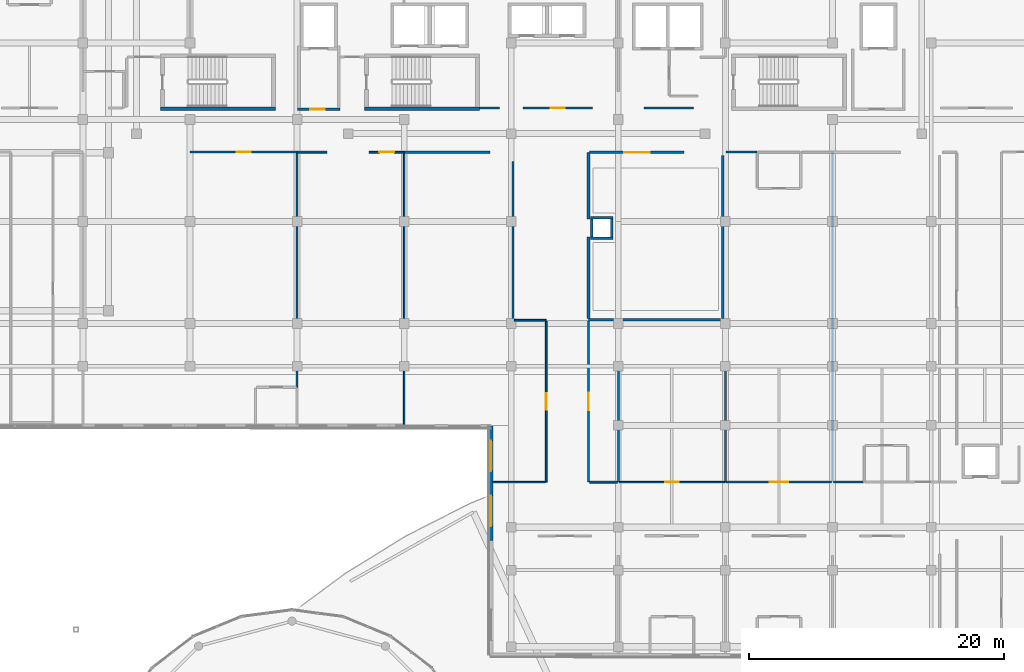
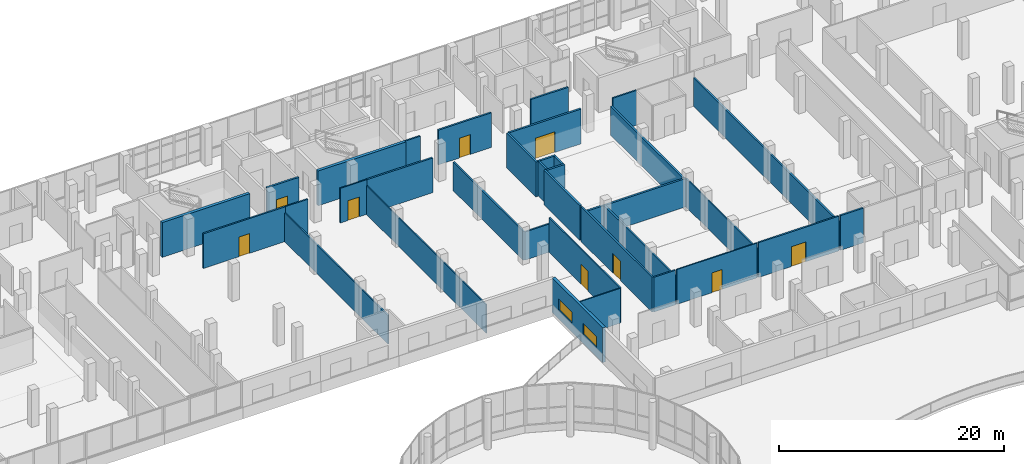
# One storey, part 87 of 101: 35 walls, 9 doors, 2 windows, 11 openings.
"""IFC4 building model written with IfcOpenShell, lengths in metres."""

import ifcopenshell
import ifcopenshell.guid

model = None  # the IFC model being written
_history = None  # IfcOwnerHistory: only IFC2X3 demands one
_inside = {}  # id of a spatial element -> (the spatial element, [elements in it])
_under = {}  # id of a project, library or spatial element -> (it, [spatial elements below it])
_declared = {}  # id of a project -> (the project, [libraries it declares])
_typed = {}  # id of a type object -> (the type object, [elements of that type])
_made_of = {}  # id of a material, layer set ... -> (it, [elements and type objects made of it])


def new_model(schema):
    """Start an empty IFC model of exactly this schema.

    Asked for "IFC4X3", IfcOpenShell would pick the latest addendum, in which some entities
    have other attributes; the version numbers below select the first issue.
    IFC2X3 requires an IfcOwnerHistory on every rooted entity: one is made here for all.
    """
    global model, _history
    if schema == "IFC4X3":
        model = ifcopenshell.file(schema_version=(4, 3, 0, 0))
    else:
        model = ifcopenshell.file(schema=schema)
    _inside.clear()
    _under.clear()
    _declared.clear()
    _typed.clear()
    _made_of.clear()
    _history = None
    if model.schema == "IFC2X3":
        org = make("IfcOrganization", Name="unknown")
        user = make(
            "IfcPersonAndOrganization",
            ThePerson=make("IfcPerson", FamilyName="unknown"),
            TheOrganization=org,
        )
        app = make(
            "IfcApplication",
            ApplicationDeveloper=org,
            Version="unknown",
            ApplicationFullName="unknown",
            ApplicationIdentifier="unknown",
        )
        _history = make(
            "IfcOwnerHistory",
            OwningUser=user,
            OwningApplication=app,
            ChangeAction="ADDED",
            CreationDate=0,
        )
    return model


def make(cls, **values):
    """One entity of the class cls with the attributes given. An attribute that is None is left unset."""
    return model.create_entity(
        cls, **{name: value for name, value in values.items() if value is not None}
    )


def rooted(cls, **values):
    """An entity with a GlobalId (a new one), such as an element, a storey or a relation."""
    return make(cls, GlobalId=ifcopenshell.guid.new(), OwnerHistory=_history, **values)


def si_unit(unit_type, name, prefix=None):
    """IfcSIUnit, for example si_unit("LENGTHUNIT", "METRE", prefix="MILLI")."""
    return make("IfcSIUnit", UnitType=unit_type, Prefix=prefix, Name=name)


def assignment(units):
    """IfcUnitAssignment: the units of a project."""
    return None if units is None else make("IfcUnitAssignment", Units=units)


def point(xyz):
    """IfcCartesianPoint."""
    return None if xyz is None else make("IfcCartesianPoint", Coordinates=xyz)


def direction(xyz):
    """IfcDirection."""
    return None if xyz is None else make("IfcDirection", DirectionRatios=xyz)


def frame(location, z_axis=None, x_axis=None):
    """IfcAxis2Placement3D, a coordinate frame: its origin and axes. An axis left out is left unset."""
    return make(
        "IfcAxis2Placement3D",
        Location=point(location),
        Axis=direction(z_axis),
        RefDirection=direction(x_axis),
    )


def frame_2d(location, x_axis=None):
    """IfcAxis2Placement2D, a coordinate frame in the plane: its origin and x axis."""
    return make(
        "IfcAxis2Placement2D", Location=point(location), RefDirection=direction(x_axis)
    )


def origin():
    """The frame at (0, 0, 0) with its axes left unset."""
    return frame((0.0, 0.0, 0.0))


def place(relative_to, where):
    """IfcLocalPlacement: puts the frame where relative to a parent placement (None: the world)."""
    return make(
        "IfcLocalPlacement", PlacementRelTo=relative_to, RelativePlacement=where
    )


def context(
    kind, dimensions, precision=None, world=None, true_north=None, identifier=None
):
    """IfcGeometricRepresentationContext, for example the 3D "Model" context."""
    return make(
        "IfcGeometricRepresentationContext",
        ContextIdentifier=identifier,
        ContextType=kind,
        CoordinateSpaceDimension=dimensions,
        Precision=precision,
        WorldCoordinateSystem=world,
        TrueNorth=true_north,
    )


def subcontext(parent, identifier, kind, view, scale=None):
    """IfcGeometricRepresentationSubContext, for example "Body" below "Model"."""
    return make(
        "IfcGeometricRepresentationSubContext",
        ContextIdentifier=identifier,
        ContextType=kind,
        ParentContext=parent,
        TargetScale=scale,
        TargetView=view,
    )


def project(units=None, contexts=None):
    """IfcProject with its units and contexts."""
    return rooted(
        "IfcProject",
        Name="project",
        RepresentationContexts=contexts,
        UnitsInContext=assignment(units),
    )


def spatial(cls, under=None, at=None, **own):
    """A site, building, storey or space (cls), placed at a placement, below another one or the project."""
    s = rooted(cls, ObjectPlacement=at, **own)
    if under is not None:
        _under.setdefault(under.id(), (under, []))[1].append(s)
    return s


def profile(cls, at=None, kind="AREA", **sizes):
    """A parametric profile (cls). Its sizes go by their IFC names, for example OverallWidth=200.0."""
    return make(cls, ProfileType=kind, Position=at, **sizes)


def rectangle(**sizes):
    """IfcRectangleProfileDef."""
    return profile("IfcRectangleProfileDef", **sizes)


def extrude(swept, where, along, depth):
    """IfcExtrudedAreaSolid: the profile swept, set in the frame where, extruded along a direction by depth."""
    return make(
        "IfcExtrudedAreaSolid",
        SweptArea=swept,
        Position=where,
        ExtrudedDirection=direction(along),
        Depth=depth,
    )


def shape(context_of_items, identifier, shape_type, items):
    """IfcShapeRepresentation: the items that make up one representation, for example the "Body"."""
    return make(
        "IfcShapeRepresentation",
        ContextOfItems=context_of_items,
        RepresentationIdentifier=identifier,
        RepresentationType=shape_type,
        Items=items,
    )


def material(Name=None, Category=None):
    """IfcMaterial."""
    return make("IfcMaterial", Name=Name, Category=Category)


def layer(
    of_material, thickness, ventilated=None, Name=None, Category=None, Priority=None
):
    """IfcMaterialLayer: one layer of a wall or slab, of a material (None: an air gap)."""
    return make(
        "IfcMaterialLayer",
        Material=of_material,
        LayerThickness=thickness,
        IsVentilated=ventilated,
        Name=Name,
        Category=Category,
        Priority=Priority,
    )


def layer_set(layers, Name=None):
    """IfcMaterialLayerSet."""
    return make("IfcMaterialLayerSet", MaterialLayers=layers, LayerSetName=Name)


def made_of(thing, what):
    """Note that an element or type object is made of a material, layer set ...; save() writes the relation."""
    if what is not None:
        _made_of.setdefault(what.id(), (what, []))[1].append(thing)
    return thing


def type_object(cls, material=None, **own):
    """A type object (cls), such as IfcWallType, which elements share."""
    return made_of(rooted(cls, **own), material)


def element(
    cls,
    number,
    at=None,
    inside=None,
    cuts=None,
    type_object=None,
    material=None,
    context=None,
    identifier="Body",
    shape_type=None,
    held_by="IfcProductDefinitionShape",
    body=None,
    shapes=None,
    **own,
):
    """One element of the class cls, such as IfcWall. Its Tag is "e" and its number.

    at: its placement. inside: the storey or other place that contains it. cuts: it is an
    opening in that element (IfcRelVoidsElement). A single representation is given by context,
    identifier, shape_type and body (its items); several are given by shapes. held_by: the class
    of the entity that holds the representations. save() writes the other relations.
    """
    e = rooted(cls, Tag="e%d" % number, ObjectPlacement=at, **own)
    if body is not None:
        shapes = [shape(context, identifier, shape_type, body)]
    if shapes is not None:
        e.Representation = make(held_by, Representations=shapes)
    if inside is not None:
        _inside.setdefault(inside.id(), (inside, []))[1].append(e)
    if cuts is not None:
        rooted(
            "IfcRelVoidsElement", RelatingBuildingElement=cuts, RelatedOpeningElement=e
        )
    if type_object is not None:
        _typed.setdefault(type_object.id(), (type_object, []))[1].append(e)
    return made_of(e, material)


def fill(opening, filler):
    """IfcRelFillsElement: the door or window that sits in an opening."""
    return rooted(
        "IfcRelFillsElement",
        RelatingOpeningElement=opening,
        RelatedBuildingElement=filler,
    )


def aggregate(whole, parts):
    """IfcRelAggregates: a whole, such as a stair, and the parts it consists of."""
    return rooted("IfcRelAggregates", RelatingObject=whole, RelatedObjects=parts)


def save(model, path):
    """Write the relations noted so far, then the file.

    IfcRelAggregates (storeys below a building ...), IfcRelContainedInSpatialStructure (elements
    in a storey), IfcRelDefinesByType, IfcRelAssociatesMaterial and IfcRelDeclares: one each for
    every whole, place, type object, material and project.
    """
    for whole, parts in _under.values():
        aggregate(whole, parts)
    for where, things in _inside.values():
        rooted(
            "IfcRelContainedInSpatialStructure",
            RelatedElements=things,
            RelatingStructure=where,
        )
    for kind, things in _typed.values():
        rooted("IfcRelDefinesByType", RelatedObjects=things, RelatingType=kind)
    for what, things in _made_of.values():
        rooted("IfcRelAssociatesMaterial", RelatedObjects=things, RelatingMaterial=what)
    for by, libraries in _declared.values():
        rooted("IfcRelDeclares", RelatingContext=by, RelatedDefinitions=libraries)
    model.write(path)


model = new_model("IFC4")

# Units and contexts
model_context = context("Model", 3, precision=1e-05, world=origin(), true_north=direction((0.0, 1.0)))
body_context = subcontext(model_context, "Body", "Model", "MODEL_VIEW")
ifc_project = project(units=[si_unit("LENGTHUNIT", "METRE"), si_unit("AREAUNIT", "SQUARE_METRE"), si_unit("VOLUMEUNIT", "CUBIC_METRE"), si_unit("PLANEANGLEUNIT", "RADIAN"), si_unit("MASSUNIT", "GRAM", prefix="KILO")], contexts=[model_context])

# Site, building, storey
site_placement = place(None, origin())
site = spatial("IfcSite", under=ifc_project, at=site_placement, CompositionType="ELEMENT")
building_placement = place(site_placement, origin())
building = spatial("IfcBuilding", under=site, at=building_placement, Name="Selatvlak General Hospital", CompositionType="ELEMENT")
storey_placement = place(building_placement, frame((0.0, 0.0, 19.199951171875)))
storey = spatial("IfcBuildingStorey", under=building, at=storey_placement, Name="L04", CompositionType="ELEMENT", Elevation=19.199951171875)

# Wall, openings, windows
ifc_material_1 = material(Name="Precast concrete C40/50 - white fair-faced", Category="concrete")
ifc_layer_1 = layer(ifc_material_1, 0.300048828125, Name="Precast concrete C40/50 - white fair-faced", Category="concrete")
ifc_layer_set_1 = layer_set([ifc_layer_1], Name="Precast concrete C40/50 - white fair-faced")
wall_type_1 = type_object("IfcWallType", Name="WALL-EW-01", PredefinedType="SOLIDWALL", material=ifc_layer_set_1)
wall_1_placement = place(storey_placement, frame((113.60009765625, 74.969970703125, 0.0), z_axis=(0.0, 0.0, 1.0), x_axis=(0.0, 1.0, 0.0)))
wall_1 = element("IfcWall", 1, at=wall_1_placement, inside=storey, type_object=wall_type_1, Name="L04 exterior wall 0462", PredefinedType="SOLIDWALL", context=body_context, shape_type="SweptSolid", body=[
    extrude(rectangle(XDim=8.969970703125, YDim=0.300048828125, at=frame_2d((4.48486328125, 0.0))), origin(), (0.0, 0.0, 1.0), 3.77001953125),
])
opening_1_placement = place(wall_1_placement, frame((1.132080078125, 0.0, 0.9599609375)))
opening_1 = element("IfcOpeningElement", 2, at=opening_1_placement, cuts=wall_1, Name="Opening WN-29", PredefinedType="OPENING", context=body_context, shape_type="SweptSolid", body=[
    extrude(rectangle(XDim=2.39990234375, YDim=1.199951171875, at=frame_2d((1.199951171875, 0.60009765625))), frame((0.0, 0.159912109375, 0.0), z_axis=(0.0, -1.0, 0.0), x_axis=(1.0, 0.0, 0.0)), (0.0, 0.0, 1.0), 0.320068359375),
])
opening_2_placement = place(wall_1_placement, frame((5.43798828125, 0.0, 0.9599609375)))
opening_2 = element("IfcOpeningElement", 3, at=opening_2_placement, cuts=wall_1, Name="Opening WN-29", PredefinedType="OPENING", context=body_context, shape_type="SweptSolid", body=[
    extrude(rectangle(XDim=2.39990234375, YDim=1.199951171875, at=frame_2d((1.199951171875, 0.60009765625))), frame((0.0, 0.159912109375, 0.0), z_axis=(0.0, -1.0, 0.0), x_axis=(1.0, 0.0, 0.0)), (0.0, 0.0, 1.0), 0.320068359375),
])
ifc_material_2 = material(Name="Thermally broken aluminium Low-E window", Category="aluminium")
window_type = type_object("IfcWindowType", Name="WIN-WN-29", PartitioningType="SINGLE_PANEL", PredefinedType="WINDOW", material=ifc_material_2)
window_1_placement = place(opening_1_placement, origin())
window_1 = element("IfcWindow", 4, at=window_1_placement, inside=storey, type_object=window_type, Name="L04 Bauhaus ribbon window 0086", OverallHeight=1.199951171875, OverallWidth=2.39990234375, PartitioningType="SINGLE_PANEL", PredefinedType="WINDOW", context=body_context, shape_type="SweptSolid", body=[
    extrude(rectangle(XDim=2.39990234375, YDim=1.199951171875, at=frame_2d((1.199951171875, 0.60009765625))), frame((0.0, 0.030029296875, 0.0), z_axis=(0.0, -1.0, 0.0), x_axis=(1.0, 0.0, 0.0)), (0.0, 0.0, 1.0), 0.06005859375),
])
fill(opening_1, window_1)
window_2_placement = place(opening_2_placement, origin())
window_2 = element("IfcWindow", 5, at=window_2_placement, inside=storey, type_object=window_type, Name="L04 Bauhaus ribbon window 0087", OverallHeight=1.199951171875, OverallWidth=2.39990234375, PartitioningType="SINGLE_PANEL", PredefinedType="WINDOW", context=body_context, shape_type="SweptSolid", body=[
    extrude(rectangle(XDim=2.39990234375, YDim=1.199951171875, at=frame_2d((1.199951171875, 0.60009765625))), frame((0.0, 0.030029296875, 0.0), z_axis=(0.0, -1.0, 0.0), x_axis=(1.0, 0.0, 0.0)), (0.0, 0.0, 1.0), 0.06005859375),
])
fill(opening_2, window_2)

# Wall, opening, door
ifc_material_3 = material(Name="Concrete C40/50", Category="concrete")
ifc_layer_2 = layer(ifc_material_3, 0.199951171875, Name="Concrete C40/50", Category="concrete")
ifc_layer_set_2 = layer_set([ifc_layer_2], Name="Concrete C40/50")
wall_type_2 = type_object("IfcWallType", Name="WALL-IW-02", PredefinedType="SOLIDWALL", material=ifc_layer_set_2)
wall_2_placement = place(storey_placement, frame((98.449951171875, 108.800048828125, 0.0), z_axis=(0.0, 0.0, 1.0), x_axis=(1.0, 0.0, 0.0)))
wall_2 = element("IfcWall", 6, at=wall_2_placement, inside=storey, type_object=wall_type_2, Name="Firefighting lobby C2 wall L04 S", PredefinedType="SOLIDWALL", context=body_context, shape_type="SweptSolid", body=[
    extrude(rectangle(XDim=3.300048828125, YDim=0.199951171875, at=frame_2d((1.64990234375, 0.0))), origin(), (0.0, 0.0, 1.0), 3.77001953125),
])
opening_3_placement = place(wall_2_placement, frame((0.97509765625, 0.0, 0.0)))
opening_3 = element("IfcOpeningElement", 7, at=opening_3_placement, cuts=wall_2, Name="Opening D-06", PredefinedType="OPENING", context=body_context, shape_type="SweptSolid", body=[
    extrude(rectangle(XDim=1.14990234375, YDim=2.14990234375, at=frame_2d((0.574951171875, 1.074951171875))), frame((0.0, 0.10986328125, 0.0), z_axis=(0.0, -1.0, 0.0), x_axis=(1.0, 0.0, 0.0)), (0.0, 0.0, 1.0), 0.219970703125),
])
ifc_material_4 = material(Name="Firefighting lobby fire door")
door_type_1 = type_object("IfcDoorType", Name="DOOR-D-06", OperationType="NOTDEFINED", PredefinedType="DOOR", material=ifc_material_4)
door_1_placement = place(opening_3_placement, origin())
door_1 = element("IfcDoor", 8, at=door_1_placement, inside=storey, type_object=door_type_1, Name="Firefighting lobby C2 door on L04", OperationType="SINGLE_SWING_RIGHT", OverallHeight=2.14990234375, OverallWidth=1.14990234375, PredefinedType="DOOR", context=body_context, shape_type="SweptSolid", body=[
    extrude(rectangle(XDim=1.14990234375, YDim=2.14990234375, at=frame_2d((0.574951171875, 1.074951171875))), frame((0.0, 0.02490234375, 0.0), z_axis=(0.0, -1.0, 0.0), x_axis=(1.0, 0.0, 0.0)), (0.0, 0.0, 1.0), 0.050048828125),
])
fill(opening_3, door_1)

# Walls
wall_3_placement = place(storey_placement, frame((121.39990234375, 98.699951171875, 0.0), z_axis=(0.0, 0.0, 1.0), x_axis=(1.0, 0.0, 0.0)))
element("IfcWall", 9, at=wall_3_placement, inside=storey, type_object=wall_type_2, Name="Service riser 2 shaft wall L04 S", PredefinedType="SOLIDWALL", context=body_context, shape_type="SweptSolid", body=[
    extrude(rectangle(XDim=1.800048828125, YDim=0.199951171875, at=frame_2d((0.89990234375, 0.0))), origin(), (0.0, 0.0, 1.0), 3.77001953125),
])
wall_4_placement = place(storey_placement, frame((123.10009765625, 98.800048828125, 0.0), z_axis=(0.0, 0.0, 1.0), x_axis=(0.0, 1.0, 0.0)))
element("IfcWall", 10, at=wall_4_placement, inside=storey, type_object=wall_type_2, Name="Service riser 2 shaft wall L04 E", PredefinedType="SOLIDWALL", context=body_context, shape_type="SweptSolid", body=[
    extrude(rectangle(XDim=1.39990234375, YDim=0.199951171875, at=frame_2d((0.699951171875, 0.0))), origin(), (0.0, 0.0, 1.0), 3.77001953125),
])
wall_5_placement = place(storey_placement, frame((123.199951171875, 100.300048828125, 0.0), z_axis=(0.0, 0.0, 1.0), x_axis=(-1.0, 0.0, 0.0)))
element("IfcWall", 11, at=wall_5_placement, inside=storey, type_object=wall_type_2, Name="Service riser 2 shaft wall L04 N", PredefinedType="SOLIDWALL", context=body_context, shape_type="SweptSolid", body=[
    extrude(rectangle(XDim=1.800048828125, YDim=0.199951171875, at=frame_2d((0.89990234375, 0.0))), origin(), (0.0, 0.0, 1.0), 3.77001953125),
])
wall_6_placement = place(storey_placement, frame((121.5, 100.199951171875, 0.0), z_axis=(0.0, 0.0, 1.0), x_axis=(0.0, -1.0, 0.0)))
element("IfcWall", 12, at=wall_6_placement, inside=storey, type_object=wall_type_2, Name="Service riser 2 shaft wall L04 W", PredefinedType="SOLIDWALL", context=body_context, shape_type="SweptSolid", body=[
    extrude(rectangle(XDim=1.39990234375, YDim=0.199951171875, at=frame_2d((0.699951171875, 0.0))), origin(), (0.0, 0.0, 1.0), 3.77001953125),
])
wall_7_placement = place(storey_placement, frame((132.0048828125, 92.300048828125, 0.0), z_axis=(0.0, 0.0, 1.0), x_axis=(-1.0, 0.0, 0.0)))
element("IfcWall", 13, at=wall_7_placement, inside=storey, type_object=wall_type_2, Name="L04 clinical partition PT-L04-1664", PredefinedType="SOLIDWALL", context=body_context, shape_type="SweptSolid", body=[
    extrude(rectangle(XDim=10.744873046875, YDim=0.199951171875, at=frame_2d((5.37255859375, 0.0))), origin(), (0.0, 0.0, 1.0), 3.070068359375),
])
wall_8_placement = place(storey_placement, frame((121.260009765625, 92.39599609375, 0.0), z_axis=(0.0, 0.0, 1.0), x_axis=(0.0, 1.0, 0.0)))
element("IfcWall", 14, at=wall_8_placement, inside=storey, type_object=wall_type_2, Name="L04 clinical partition PT-L04-1665", PredefinedType="SOLIDWALL", context=body_context, shape_type="SweptSolid", body=[
    extrude(rectangle(XDim=6.404052734375, YDim=0.199951171875, at=frame_2d((3.2021484375, 0.0))), origin(), (0.0, 0.0, 1.0), 3.77001953125),
])
wall_9_placement = place(storey_placement, frame((121.260009765625, 100.199951171875, 0.0), z_axis=(0.0, 0.0, 1.0), x_axis=(0.0, 1.0, 0.0)))
element("IfcWall", 15, at=wall_9_placement, inside=storey, type_object=wall_type_2, Name="L04 clinical partition PT-L04-1666", PredefinedType="SOLIDWALL", context=body_context, shape_type="SweptSolid", body=[
    extrude(rectangle(XDim=5.219970703125, YDim=0.199951171875, at=frame_2d((2.60986328125, 0.0))), origin(), (0.0, 0.0, 1.0), 3.77001953125),
])

# Wall, opening, door
wall_10_placement = place(storey_placement, frame((121.35595703125, 105.419921875, 0.0), z_axis=(0.0, 0.0, 1.0), x_axis=(1.0, 0.0, 0.0)))
wall_10 = element("IfcWall", 16, at=wall_10_placement, inside=storey, type_object=wall_type_2, Name="L04 clinical partition PT-L04-1667", PredefinedType="SOLIDWALL", context=body_context, shape_type="SweptSolid", body=[
    extrude(rectangle(XDim=7.406005859375, YDim=0.199951171875, at=frame_2d((3.703125, 0.0))), origin(), (0.0, 0.0, 1.0), 3.77001953125),
])
opening_4_placement = place(wall_10_placement, frame((2.702880859375, 0.0, 0.0)))
opening_4 = element("IfcOpeningElement", 17, at=opening_4_placement, cuts=wall_10, Name="Opening D-18", PredefinedType="OPENING", context=body_context, shape_type="SweptSolid", body=[
    extrude(rectangle(XDim=2.0, YDim=2.25, at=frame_2d((1.0, 1.125))), frame((0.0, 0.10986328125, 0.0), z_axis=(0.0, -1.0, 0.0), x_axis=(1.0, 0.0, 0.0)), (0.0, 0.0, 1.0), 0.219970703125),
])
ifc_material_5 = material(Name="Auditorium and hall double door")
door_type_2 = type_object("IfcDoorType", Name="DOOR-D-18", OperationType="DOUBLE_DOOR_SINGLE_SWING", PredefinedType="DOOR", material=ifc_material_5)
door_2_placement = place(opening_4_placement, origin())
door_2 = element("IfcDoor", 18, at=door_2_placement, inside=storey, type_object=door_type_2, Name="L04 Medical Lecture Auditorium door", OperationType="DOUBLE_DOOR_SINGLE_SWING", OverallHeight=2.25, OverallWidth=2.0, PredefinedType="DOOR", context=body_context, shape_type="SweptSolid", body=[
    extrude(rectangle(XDim=2.0, YDim=2.25, at=frame_2d((1.0, 1.125))), frame((0.0, 0.02490234375, 0.0), z_axis=(0.0, -1.0, 0.0), x_axis=(1.0, 0.0, 0.0)), (0.0, 0.0, 1.0), 0.050048828125),
])
fill(opening_4, door_2)

# Walls
wall_11_placement = place(storey_placement, frame((131.800048828125, 105.18994140625, 0.0), z_axis=(0.0, 0.0, 1.0), x_axis=(0.0, -1.0, 0.0)))
element("IfcWall", 19, at=wall_11_placement, inside=storey, type_object=wall_type_2, Name="L04 clinical partition PT-L04-1668", PredefinedType="SOLIDWALL", context=body_context, shape_type="SweptSolid", body=[
    extrude(rectangle(XDim=12.7939453125, YDim=0.199951171875, at=frame_2d((6.39697265625, 0.0))), origin(), (0.0, 0.0, 1.0), 3.1201171875),
])
ifc_material_6 = material(Name="Acoustic gypsum stud partition")
ifc_layer_3 = layer(ifc_material_6, 0.179931640625, Name="Acoustic gypsum stud partition")
ifc_layer_set_3 = layer_set([ifc_layer_3], Name="Acoustic gypsum stud partition")
wall_type_3 = type_object("IfcWallType", Name="WALL-PT-01", PredefinedType="PARTITIONING", material=ifc_layer_set_3)
wall_12_placement = place(storey_placement, frame((106.800048828125, 105.43994140625, 0.0), z_axis=(0.0, 0.0, 1.0), x_axis=(1.0, 0.0, 0.0)))
element("IfcWall", 20, at=wall_12_placement, inside=storey, type_object=wall_type_3, Name="L04 clinical partition PT-L04-1740", PredefinedType="PARTITIONING", context=body_context, shape_type="SweptSolid", body=[
    extrude(rectangle(XDim=6.743896484375, YDim=0.179931640625, at=frame_2d((3.3720703125, 0.0))), origin(), (0.0, 0.0, 1.0), 3.77001953125),
])

# Wall, opening, door
wall_13_placement = place(storey_placement, frame((121.260009765625, 79.56005859375, 0.0), z_axis=(0.0, 0.0, 1.0), x_axis=(0.0, 1.0, 0.0)))
wall_13 = element("IfcWall", 21, at=wall_13_placement, inside=storey, type_object=wall_type_3, Name="L04 clinical partition PT-L04-1745", PredefinedType="PARTITIONING", context=body_context, shape_type="SweptSolid", body=[
    extrude(rectangle(XDim=12.64404296875, YDim=0.179931640625, at=frame_2d((6.322021484375, 0.0))), origin(), (0.0, 0.0, 1.0), 3.77001953125),
])
opening_5_placement = place(wall_13_placement, frame((5.64697265625, 0.0, 0.0)))
opening_5 = element("IfcOpeningElement", 22, at=opening_5_placement, cuts=wall_13, Name="Opening D-10", PredefinedType="OPENING", context=body_context, shape_type="SweptSolid", body=[
    extrude(rectangle(XDim=1.35009765625, YDim=2.14990234375, at=frame_2d((0.675048828125, 1.074951171875))), frame((0.0, 0.099853515625, 0.0), z_axis=(0.0, -1.0, 0.0), x_axis=(1.0, 0.0, 0.0)), (0.0, 0.0, 1.0), 0.199951171875),
])
ifc_material_7 = material(Name="Single patient bed door")
door_type_3 = type_object("IfcDoorType", Name="DOOR-D-10", OperationType="NOTDEFINED", PredefinedType="DOOR", material=ifc_material_7)
door_3_placement = place(opening_5_placement, origin())
door_3 = element("IfcDoor", 23, at=door_3_placement, inside=storey, type_object=door_type_3, Name="L04 Ward Treatment Procedure Room 18 door", OperationType="SINGLE_SWING_RIGHT", OverallHeight=2.14990234375, OverallWidth=1.35009765625, PredefinedType="DOOR", context=body_context, shape_type="SweptSolid", body=[
    extrude(rectangle(XDim=1.35009765625, YDim=2.14990234375, at=frame_2d((0.675048828125, 1.074951171875))), frame((0.0, 0.02490234375, 0.0), z_axis=(0.0, -1.0, 0.0), x_axis=(1.0, 0.0, 0.0)), (0.0, 0.0, 1.0), 0.050048828125),
])
fill(opening_5, door_3)

# Walls
wall_14_placement = place(storey_placement, frame((140.39990234375, 105.3759765625, 0.0), z_axis=(0.0, 0.0, 1.0), x_axis=(0.0, -1.0, 0.0)))
element("IfcWall", 24, at=wall_14_placement, inside=storey, type_object=wall_type_3, Name="L04 clinical partition PT-L04-1755", PredefinedType="PARTITIONING", context=body_context, shape_type="SweptSolid", body=[
    extrude(rectangle(XDim=25.81591796875, YDim=0.179931640625, at=frame_2d((12.907958984375, 0.0))), origin(), (0.0, 0.0, 1.0), 3.10009765625),
])
wall_15_placement = place(storey_placement, frame((142.825927734375, 79.56005859375, 0.0), z_axis=(0.0, 0.0, 1.0), x_axis=(-1.0, 0.0, 0.0)))
element("IfcWall", 25, at=wall_15_placement, inside=storey, type_object=wall_type_3, Name="L04 clinical partition PT-L04-1764", PredefinedType="PARTITIONING", context=body_context, shape_type="SweptSolid", body=[
    extrude(rectangle(XDim=2.33984375, YDim=0.179931640625, at=frame_2d((1.169921875, 0.0))), origin(), (0.0, 0.0, 1.0), 3.77001953125),
])

# Wall, opening, door
wall_16_placement = place(storey_placement, frame((121.589111328125, 108.909912109375, 0.0), z_axis=(0.0, 0.0, 1.0), x_axis=(-1.0, 0.0, 0.0)))
wall_16 = element("IfcWall", 26, at=wall_16_placement, inside=storey, type_object=wall_type_3, Name="L04 clinical partition PT-L04-1815", PredefinedType="PARTITIONING", context=body_context, shape_type="SweptSolid", body=[
    extrude(rectangle(XDim=5.47607421875, YDim=0.179931640625, at=frame_2d((2.738037109375, 0.0))), origin(), (0.0, 0.0, 1.0), 3.77001953125),
])
opening_6_placement = place(wall_16_placement, frame((2.18798828125, 0.0, 0.0)))
opening_6 = element("IfcOpeningElement", 27, at=opening_6_placement, cuts=wall_16, Name="Opening D-22", PredefinedType="OPENING", context=body_context, shape_type="SweptSolid", body=[
    extrude(rectangle(XDim=1.10009765625, YDim=2.14990234375, at=frame_2d((0.550048828125, 1.074951171875))), frame((0.0, 0.099853515625, 0.0), z_axis=(0.0, -1.0, 0.0), x_axis=(1.0, 0.0, 0.0)), (0.0, 0.0, 1.0), 0.199951171875),
])
ifc_material_8 = material(Name="Pharmacy security fire door")
door_type_4 = type_object("IfcDoorType", Name="DOOR-D-22", OperationType="NOTDEFINED", PredefinedType="DOOR", material=ifc_material_8)
door_4_placement = place(opening_6_placement, origin())
door_4 = element("IfcDoor", 28, at=door_4_placement, inside=storey, type_object=door_type_4, Name="L04 Ward Treatment Procedure Room 36 door", OperationType="SINGLE_SWING_RIGHT", OverallHeight=2.14990234375, OverallWidth=1.10009765625, PredefinedType="DOOR", context=body_context, shape_type="SweptSolid", body=[
    extrude(rectangle(XDim=1.10009765625, YDim=2.14990234375, at=frame_2d((0.550048828125, 1.074951171875))), frame((0.0, 0.02490234375, 0.0), z_axis=(0.0, -1.0, 0.0), x_axis=(1.0, 0.0, 0.0)), (0.0, 0.0, 1.0), 0.050048828125),
])
fill(opening_6, door_4)

# Wall
wall_17_placement = place(storey_placement, frame((129.487060546875, 108.909912109375, 0.0), z_axis=(0.0, 0.0, 1.0), x_axis=(-1.0, 0.0, 0.0)))
element("IfcWall", 29, at=wall_17_placement, inside=storey, type_object=wall_type_3, Name="L04 clinical partition PT-L04-1820", PredefinedType="PARTITIONING", context=body_context, shape_type="SweptSolid", body=[
    extrude(rectangle(XDim=3.8759765625, YDim=0.179931640625, at=frame_2d((1.93798828125, 0.0))), origin(), (0.0, 0.0, 1.0), 3.77001953125),
])

# Wall, opening, door
ifc_layer_4 = layer(ifc_material_6, 0.1650390625, Name="Acoustic gypsum stud partition")
ifc_layer_set_4 = layer_set([ifc_layer_4], Name="Acoustic gypsum stud partition")
wall_type_4 = type_object("IfcWallType", Name="WALL-PT-02", PredefinedType="PARTITIONING", material=ifc_layer_set_4)
wall_18_placement = place(storey_placement, frame((90.0, 105.43994140625, 0.0), z_axis=(0.0, 0.0, 1.0), x_axis=(1.0, 0.0, 0.0)))
wall_18 = element("IfcWall", 30, at=wall_18_placement, inside=storey, type_object=wall_type_4, Name="L04 clinical partition PT-L04-1732", PredefinedType="PARTITIONING", context=body_context, shape_type="SweptSolid", body=[
    extrude(rectangle(XDim=8.39990234375, YDim=0.1650390625, at=frame_2d((4.199951171875, 0.0))), origin(), (0.0, 0.0, 1.0), 3.77001953125),
])
opening_7_placement = place(wall_18_placement, frame((3.64990234375, 0.0, 0.0)))
opening_7 = element("IfcOpeningElement", 31, at=opening_7_placement, cuts=wall_18, Name="Opening D-22", PredefinedType="OPENING", context=body_context, shape_type="SweptSolid", body=[
    extrude(rectangle(XDim=1.10009765625, YDim=2.14990234375, at=frame_2d((0.550048828125, 1.074951171875))), frame((0.0, 0.092529296875, 0.0), z_axis=(0.0, -1.0, 0.0), x_axis=(1.0, 0.0, 0.0)), (0.0, 0.0, 1.0), 0.18505859375),
])
door_5_placement = place(opening_7_placement, origin())
door_5 = element("IfcDoor", 32, at=door_5_placement, inside=storey, type_object=door_type_4, Name="L04 Maternity Postnatal Patient Room 15 door", OperationType="SINGLE_SWING_RIGHT", OverallHeight=2.14990234375, OverallWidth=1.10009765625, PredefinedType="DOOR", context=body_context, shape_type="SweptSolid", body=[
    extrude(rectangle(XDim=1.10009765625, YDim=2.14990234375, at=frame_2d((0.550048828125, 1.074951171875))), frame((0.0, 0.02490234375, 0.0), z_axis=(0.0, -1.0, 0.0), x_axis=(1.0, 0.0, 0.0)), (0.0, 0.0, 1.0), 0.050048828125),
])
fill(opening_7, door_5)

# Walls
wall_19_placement = place(storey_placement, frame((115.35009765625, 104.697021484375, 0.0), z_axis=(0.0, 0.0, 1.0), x_axis=(0.0, -1.0, 0.0)))
element("IfcWall", 33, at=wall_19_placement, inside=storey, type_object=wall_type_4, Name="L04 clinical partition PT-L04-1741", PredefinedType="PARTITIONING", context=body_context, shape_type="SweptSolid", body=[
    extrude(rectangle(XDim=12.447021484375, YDim=0.1650390625, at=frame_2d((6.2236328125, 0.0))), origin(), (0.0, 0.0, 1.0), 3.1201171875),
])
wall_20_placement = place(storey_placement, frame((123.60009765625, 92.2041015625, 0.0), z_axis=(0.0, 0.0, 1.0), x_axis=(0.0, -1.0, 0.0)))
element("IfcWall", 34, at=wall_20_placement, inside=storey, type_object=wall_type_4, Name="L04 clinical partition PT-L04-1746", PredefinedType="PARTITIONING", context=body_context, shape_type="SweptSolid", body=[
    extrude(rectangle(XDim=12.64404296875, YDim=0.1650390625, at=frame_2d((6.322021484375, 0.0))), origin(), (0.0, 0.0, 1.0), 3.10009765625),
])
wall_21_placement = place(storey_placement, frame((132.055908203125, 105.43994140625, 0.0), z_axis=(0.0, 0.0, 1.0), x_axis=(1.0, 0.0, 0.0)))
element("IfcWall", 35, at=wall_21_placement, inside=storey, type_object=wall_type_4, Name="L04 clinical partition PT-L04-1750", PredefinedType="PARTITIONING", context=body_context, shape_type="SweptSolid", body=[
    extrude(rectangle(XDim=2.43408203125, YDim=0.1650390625, at=frame_2d((1.217041015625, 0.0))), origin(), (0.0, 0.0, 1.0), 3.77001953125),
])

# Wall, opening, door
wall_22_placement = place(storey_placement, frame((140.31396484375, 79.56005859375, 0.0), z_axis=(0.0, 0.0, 1.0), x_axis=(-1.0, 0.0, 0.0)))
wall_22 = element("IfcWall", 36, at=wall_22_placement, inside=storey, type_object=wall_type_4, Name="L04 clinical partition PT-L04-1756", PredefinedType="PARTITIONING", context=body_context, shape_type="SweptSolid", body=[
    extrude(rectangle(XDim=8.25, YDim=0.1650390625, at=frame_2d((4.125, 0.0))), origin(), (0.0, 0.0, 1.0), 3.77001953125),
])
opening_8_placement = place(wall_22_placement, frame((3.39990234375, 0.0, 0.0)))
opening_8 = element("IfcOpeningElement", 37, at=opening_8_placement, cuts=wall_22, Name="Opening D-12", PredefinedType="OPENING", context=body_context, shape_type="SweptSolid", body=[
    extrude(rectangle(XDim=1.449951171875, YDim=2.14990234375, at=frame_2d((0.72509765625, 1.074951171875))), frame((0.0, 0.092529296875, 0.0), z_axis=(0.0, -1.0, 0.0), x_axis=(1.0, 0.0, 0.0)), (0.0, 0.0, 1.0), 0.18505859375),
])
ifc_material_9 = material(Name="Isolation anteroom door")
door_type_5 = type_object("IfcDoorType", Name="DOOR-D-12", OperationType="NOTDEFINED", PredefinedType="DOOR", material=ifc_material_9)
door_6_placement = place(opening_8_placement, origin())
door_6 = element("IfcDoor", 38, at=door_6_placement, inside=storey, type_object=door_type_5, Name="L04 Single Patient Room 20 door", OperationType="SINGLE_SWING_RIGHT", OverallHeight=2.14990234375, OverallWidth=1.449951171875, PredefinedType="DOOR", context=body_context, shape_type="SweptSolid", body=[
    extrude(rectangle(XDim=1.449951171875, YDim=2.14990234375, at=frame_2d((0.72509765625, 1.074951171875))), frame((0.0, 0.02490234375, 0.0), z_axis=(0.0, -1.0, 0.0), x_axis=(1.0, 0.0, 0.0)), (0.0, 0.0, 1.0), 0.050048828125),
])
fill(opening_8, door_6)

# Walls
wall_23_placement = place(storey_placement, frame((114.287109375, 108.909912109375, 0.0), z_axis=(0.0, 0.0, 1.0), x_axis=(-1.0, 0.0, 0.0)))
element("IfcWall", 39, at=wall_23_placement, inside=storey, type_object=wall_type_4, Name="L04 clinical partition PT-L04-1816", PredefinedType="PARTITIONING", context=body_context, shape_type="SweptSolid", body=[
    extrude(rectangle(XDim=1.5771484375, YDim=0.1650390625, at=frame_2d((0.78857421875, 0.0))), origin(), (0.0, 0.0, 1.0), 3.77001953125),
])
ifc_layer_5 = layer(ifc_material_6, 0.14990234375, Name="Acoustic gypsum stud partition")
ifc_layer_set_5 = layer_set([ifc_layer_5], Name="Acoustic gypsum stud partition")
wall_type_5 = type_object("IfcWallType", Name="WALL-PT-03", PredefinedType="PARTITIONING", material=ifc_layer_set_5)
wall_24_placement = place(storey_placement, frame((98.39990234375, 105.43994140625, 0.0), z_axis=(0.0, 0.0, 1.0), x_axis=(1.0, 0.0, 0.0)))
element("IfcWall", 40, at=wall_24_placement, inside=storey, type_object=wall_type_5, Name="L04 clinical partition PT-L04-1737", PredefinedType="PARTITIONING", context=body_context, shape_type="SweptSolid", body=[
    extrude(rectangle(XDim=2.343994140625, YDim=0.14990234375, at=frame_2d((1.171875, 0.0))), origin(), (0.0, 0.0, 1.0), 3.77001953125),
])
wall_25_placement = place(storey_placement, frame((115.427978515625, 92.25, 0.0), z_axis=(0.0, 0.0, 1.0), x_axis=(1.0, 0.0, 0.0)))
element("IfcWall", 41, at=wall_25_placement, inside=storey, type_object=wall_type_5, Name="L04 clinical partition PT-L04-1742", PredefinedType="PARTITIONING", context=body_context, shape_type="SweptSolid", body=[
    extrude(rectangle(XDim=2.511962890625, YDim=0.14990234375, at=frame_2d((1.255859375, 0.0))), origin(), (0.0, 0.0, 1.0), 3.070068359375),
])
wall_26_placement = place(storey_placement, frame((123.52099609375, 79.56005859375, 0.0), z_axis=(0.0, 0.0, 1.0), x_axis=(-1.0, 0.0, 0.0)))
element("IfcWall", 42, at=wall_26_placement, inside=storey, type_object=wall_type_5, Name="L04 clinical partition PT-L04-1747", PredefinedType="PARTITIONING", context=body_context, shape_type="SweptSolid", body=[
    extrude(rectangle(XDim=2.175048828125, YDim=0.14990234375, at=frame_2d((1.08740234375, 0.0))), origin(), (0.0, 0.0, 1.0), 3.77001953125),
])
ifc_material_10 = material(Name="Moisture-resistant clinical partition")
ifc_layer_6 = layer(ifc_material_10, 0.135009765625, Name="Moisture-resistant clinical partition")
ifc_layer_set_6 = layer_set([ifc_layer_6], Name="Moisture-resistant clinical partition")
wall_type_6 = type_object("IfcWallType", Name="WALL-PT-04", PredefinedType="PARTITIONING", material=ifc_layer_set_6)
wall_27_placement = place(storey_placement, frame((98.39990234375, 105.361083984375, 0.0), z_axis=(0.0, 0.0, 1.0), x_axis=(0.0, -1.0, 0.0)))
element("IfcWall", 43, at=wall_27_placement, inside=storey, type_object=wall_type_6, Name="L04 clinical partition PT-L04-1733", PredefinedType="PARTITIONING", context=body_context, shape_type="SweptSolid", body=[
    extrude(rectangle(XDim=18.361083984375, YDim=0.135009765625, at=frame_2d((9.1806640625, 0.0))), origin(), (0.0, 0.0, 1.0), 3.1201171875),
])

# Wall, opening, door
wall_28_placement = place(storey_placement, frame((104.055908203125, 105.43994140625, 0.0), z_axis=(0.0, 0.0, 1.0), x_axis=(1.0, 0.0, 0.0)))
wall_28 = element("IfcWall", 44, at=wall_28_placement, inside=storey, type_object=wall_type_6, Name="L04 clinical partition PT-L04-1738", PredefinedType="PARTITIONING", context=body_context, shape_type="SweptSolid", body=[
    extrude(rectangle(XDim=2.744140625, YDim=0.135009765625, at=frame_2d((1.3720703125, 0.0))), origin(), (0.0, 0.0, 1.0), 3.77001953125),
])
opening_9_placement = place(wall_28_placement, frame((0.77197265625, 0.0, 0.0)))
opening_9 = element("IfcOpeningElement", 45, at=opening_9_placement, cuts=wall_28, Name="Opening D-07", PredefinedType="OPENING", context=body_context, shape_type="SweptSolid", body=[
    extrude(rectangle(XDim=1.199951171875, YDim=2.14990234375, at=frame_2d((0.60009765625, 1.074951171875))), frame((0.0, 0.077392578125, 0.0), z_axis=(0.0, -1.0, 0.0), x_axis=(1.0, 0.0, 0.0)), (0.0, 0.0, 1.0), 0.155029296875),
])
ifc_material_11 = material(Name="Plant and store fire door")
door_type_6 = type_object("IfcDoorType", Name="DOOR-D-07", OperationType="NOTDEFINED", PredefinedType="DOOR", material=ifc_material_11)
door_7_placement = place(opening_9_placement, origin())
door_7 = element("IfcDoor", 46, at=door_7_placement, inside=storey, type_object=door_type_6, Name="L04 Multidisciplinary Rehabilitation Gymnasium 16 door", OperationType="SINGLE_SWING_RIGHT", OverallHeight=2.14990234375, OverallWidth=1.199951171875, PredefinedType="DOOR", context=body_context, shape_type="SweptSolid", body=[
    extrude(rectangle(XDim=1.199951171875, YDim=2.14990234375, at=frame_2d((0.60009765625, 1.074951171875))), frame((0.0, 0.02490234375, 0.0), z_axis=(0.0, -1.0, 0.0), x_axis=(1.0, 0.0, 0.0)), (0.0, 0.0, 1.0), 0.050048828125),
])
fill(opening_9, door_7)

wall_29_placement = place(storey_placement, frame((117.93994140625, 92.178955078125, 0.0), z_axis=(0.0, 0.0, 1.0), x_axis=(0.0, -1.0, 0.0)))
wall_29 = element("IfcWall", 47, at=wall_29_placement, inside=storey, type_object=wall_type_6, Name="L04 clinical partition PT-L04-1743", PredefinedType="PARTITIONING", context=body_context, shape_type="SweptSolid", body=[
    extrude(rectangle(XDim=12.618896484375, YDim=0.135009765625, at=frame_2d((6.3095703125, 0.0))), origin(), (0.0, 0.0, 1.0), 3.77001953125),
])
opening_10_placement = place(wall_29_placement, frame((5.658935546875, 0.0, 0.0)))
opening_10 = element("IfcOpeningElement", 48, at=opening_10_placement, cuts=wall_29, Name="Opening D-09", PredefinedType="OPENING", context=body_context, shape_type="SweptSolid", body=[
    extrude(rectangle(XDim=1.300048828125, YDim=2.14990234375, at=frame_2d((0.64990234375, 1.074951171875))), frame((0.0, 0.077392578125, 0.0), z_axis=(0.0, -1.0, 0.0), x_axis=(1.0, 0.0, 0.0)), (0.0, 0.0, 1.0), 0.155029296875),
])
ifc_material_12 = material(Name="Outpatient procedure door")
door_type_7 = type_object("IfcDoorType", Name="DOOR-D-09", OperationType="NOTDEFINED", PredefinedType="DOOR", material=ifc_material_12)
door_8_placement = place(opening_10_placement, origin())
door_8 = element("IfcDoor", 49, at=door_8_placement, inside=storey, type_object=door_type_7, Name="L04 Multidisciplinary Rehabilitation Gymnasium 17 door", OperationType="SINGLE_SWING_LEFT", OverallHeight=2.14990234375, OverallWidth=1.300048828125, PredefinedType="DOOR", context=body_context, shape_type="SweptSolid", body=[
    extrude(rectangle(XDim=1.300048828125, YDim=2.14990234375, at=frame_2d((0.64990234375, 1.074951171875))), frame((0.0, 0.02490234375, 0.0), z_axis=(0.0, -1.0, 0.0), x_axis=(1.0, 0.0, 0.0)), (0.0, 0.0, 1.0), 0.050048828125),
])
fill(opening_10, door_8)

# Walls
wall_30_placement = place(storey_placement, frame((132.0, 92.2041015625, 0.0), z_axis=(0.0, 0.0, 1.0), x_axis=(0.0, -1.0, 0.0)))
element("IfcWall", 50, at=wall_30_placement, inside=storey, type_object=wall_type_6, Name="L04 clinical partition PT-L04-1748", PredefinedType="PARTITIONING", context=body_context, shape_type="SweptSolid", body=[
    extrude(rectangle(XDim=12.64404296875, YDim=0.135009765625, at=frame_2d((6.322021484375, 0.0))), origin(), (0.0, 0.0, 1.0), 3.10009765625),
])
ifc_layer_7 = layer(ifc_material_10, 0.1201171875, Name="Moisture-resistant clinical partition")
ifc_layer_set_7 = layer_set([ifc_layer_7], Name="Moisture-resistant clinical partition")
wall_type_7 = type_object("IfcWallType", Name="WALL-PT-05", PredefinedType="PARTITIONING", material=ifc_layer_set_7)
wall_31_placement = place(storey_placement, frame((106.800048828125, 105.3759765625, 0.0), z_axis=(0.0, 0.0, 1.0), x_axis=(0.0, -1.0, 0.0)))
element("IfcWall", 51, at=wall_31_placement, inside=storey, type_object=wall_type_7, Name="L04 clinical partition PT-L04-1739", PredefinedType="PARTITIONING", context=body_context, shape_type="SweptSolid", body=[
    extrude(rectangle(XDim=21.284912109375, YDim=0.1201171875, at=frame_2d((10.642578125, 0.0))), origin(), (0.0, 0.0, 1.0), 3.1201171875),
])
wall_32_placement = place(storey_placement, frame((117.8759765625, 79.56005859375, 0.0), z_axis=(0.0, 0.0, 1.0), x_axis=(-1.0, 0.0, 0.0)))
element("IfcWall", 52, at=wall_32_placement, inside=storey, type_object=wall_type_7, Name="L04 clinical partition PT-L04-1744", PredefinedType="PARTITIONING", context=body_context, shape_type="SweptSolid", body=[
    extrude(rectangle(XDim=4.12890625, YDim=0.1201171875, at=frame_2d((2.064453125, 0.0))), origin(), (0.0, 0.0, 1.0), 3.77001953125),
])

# Wall, opening, door
wall_33_placement = place(storey_placement, frame((131.93603515625, 79.56005859375, 0.0), z_axis=(0.0, 0.0, 1.0), x_axis=(-1.0, 0.0, 0.0)))
wall_33 = element("IfcWall", 53, at=wall_33_placement, inside=storey, type_object=wall_type_7, Name="L04 clinical partition PT-L04-1749", PredefinedType="PARTITIONING", context=body_context, shape_type="SweptSolid", body=[
    extrude(rectangle(XDim=8.258056640625, YDim=0.1201171875, at=frame_2d((4.12890625, 0.0))), origin(), (0.0, 0.0, 1.0), 3.77001953125),
])
opening_11_placement = place(wall_33_placement, frame((3.60400390625, 0.0, 0.0)))
opening_11 = element("IfcOpeningElement", 54, at=opening_11_placement, cuts=wall_33, Name="Opening D-04", PredefinedType="OPENING", context=body_context, shape_type="SweptSolid", body=[
    extrude(rectangle(XDim=1.050048828125, YDim=2.14990234375, at=frame_2d((0.52490234375, 1.074951171875))), frame((0.0, 0.070068359375, 0.0), z_axis=(0.0, -1.0, 0.0), x_axis=(1.0, 0.0, 0.0)), (0.0, 0.0, 1.0), 0.14013671875),
])
ifc_material_13 = material(Name="Consultation room door")
door_type_8 = type_object("IfcDoorType", Name="DOOR-D-04", OperationType="NOTDEFINED", PredefinedType="DOOR", material=ifc_material_13)
door_9_placement = place(opening_11_placement, origin())
door_9 = element("IfcDoor", 55, at=door_9_placement, inside=storey, type_object=door_type_8, Name="L04 Paediatric Inpatient Ward Bay 19 door", OperationType="SINGLE_SWING_LEFT", OverallHeight=2.14990234375, OverallWidth=1.050048828125, PredefinedType="DOOR", context=body_context, shape_type="SweptSolid", body=[
    extrude(rectangle(XDim=1.050048828125, YDim=2.14990234375, at=frame_2d((0.52490234375, 1.074951171875))), frame((0.0, 0.02490234375, 0.0), z_axis=(0.0, -1.0, 0.0), x_axis=(1.0, 0.0, 0.0)), (0.0, 0.0, 1.0), 0.050048828125),
])
fill(opening_11, door_9)

# Walls
ifc_material_14 = material(Name="Concrete C45/55", Category="concrete")
ifc_layer_8 = layer(ifc_material_14, 0.300048828125, Name="Concrete C45/55", Category="concrete")
ifc_layer_set_8 = layer_set([ifc_layer_8], Name="Concrete C45/55")
wall_type_8 = type_object("IfcWallType", Name="WALL-SW-02", PredefinedType="SHEAR", material=ifc_layer_set_8)
for number, where, z_axis, x_axis, name in (
    (56, (87.68994140625, 108.840087890625, 0.0), (0.0, 0.0, 1.0), (1.0, 0.0, 0.0), "ST-02 core shear wall L04 S"),
    (57, (103.68994140625, 108.840087890625, 0.0), (0.0, 0.0, 1.0), (1.0, 0.0, 0.0), "ST-03 core shear wall L04 S"),
):
    element("IfcWall", number, at=place(storey_placement, frame(where, z_axis=z_axis, x_axis=x_axis)), inside=storey, type_object=wall_type_8, Name=name, PredefinedType="SHEAR", context=body_context, shape_type="SweptSolid", body=[
        extrude(rectangle(XDim=9.02001953125, YDim=0.300048828125, at=frame_2d((4.510009765625, 0.0))), origin(), (0.0, 0.0, 1.0), 3.77001953125),
    ])

save(model, "model.ifc")
